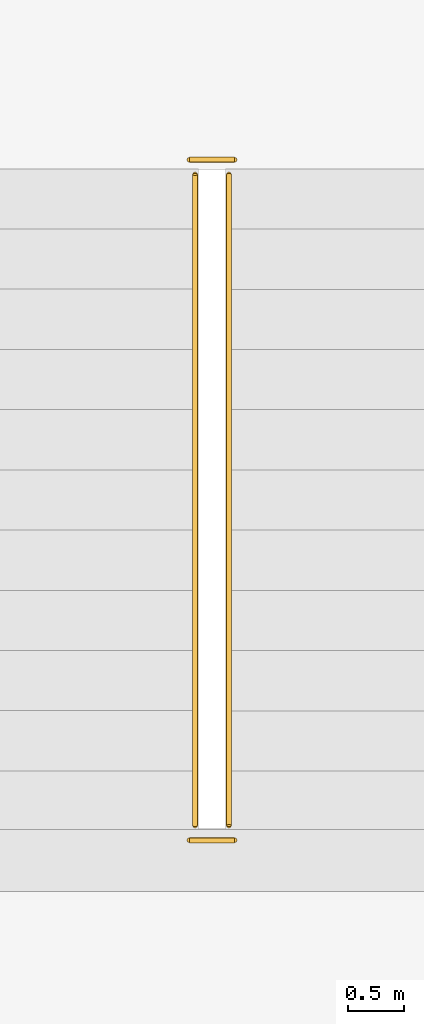
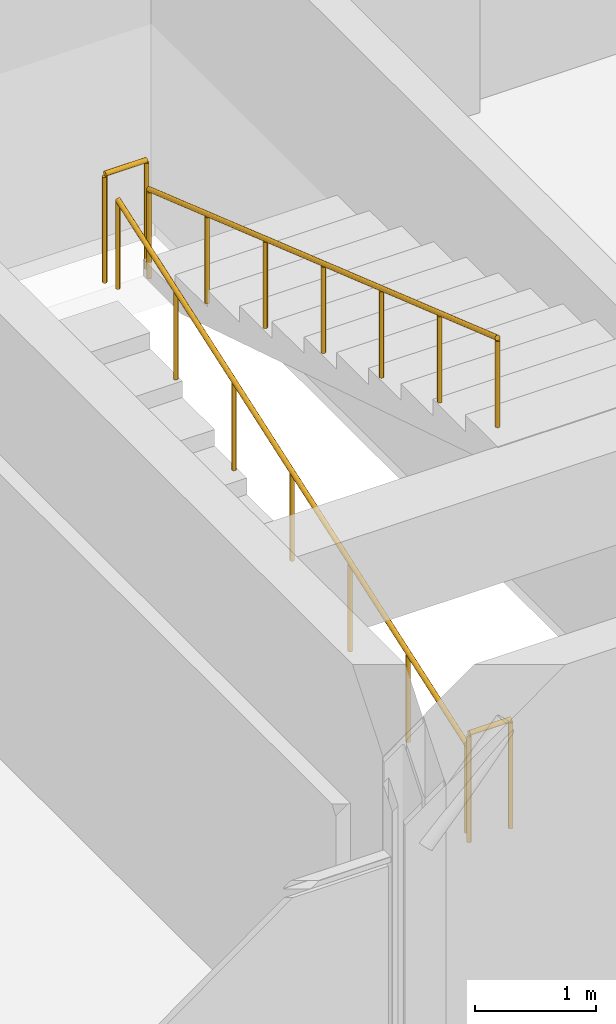
# One storey, part 48 of 51: 4 railings.
"""IFC4 building model written with IfcOpenShell, lengths in metres."""

from ifc_helpers import new_model, si_unit, direction, frame, origin, origin_2d, place, context, subcontext, project, spatial, circle, extrude, material, layer, layer_set, type_object, element, save


model = new_model("IFC4")

# Units and contexts
model_context = context("Model", 3, precision=1e-05, world=origin(), true_north=direction((0.0, 1.0)))
body_context = subcontext(model_context, "Body", "Model", "MODEL_VIEW")
ifc_project = project(units=[si_unit("LENGTHUNIT", "METRE"), si_unit("AREAUNIT", "SQUARE_METRE"), si_unit("VOLUMEUNIT", "CUBIC_METRE"), si_unit("PLANEANGLEUNIT", "RADIAN"), si_unit("MASSUNIT", "GRAM", prefix="KILO")], contexts=[model_context])

# Site, building, storey
site_placement = place(None, origin())
site = spatial("IfcSite", under=ifc_project, at=site_placement, CompositionType="ELEMENT")
building_placement = place(site_placement, origin())
building = spatial("IfcBuilding", under=site, at=building_placement, Name="Girod Span Mobility Hub", CompositionType="ELEMENT")
storey_placement = place(building_placement, frame((0.0, 0.0, 41.60009765625)))
storey = spatial("IfcBuildingStorey", under=building, at=storey_placement, Name="L10", CompositionType="ELEMENT", Elevation=41.60009765625)

# Railings
ifc_material_1 = material(Name="Painted Galvanised Steel", Category="steel")
ifc_layer_1 = layer(ifc_material_1, 0.06494140625)
ifc_layer_set_1 = layer_set([ifc_layer_1], Name="Painted Galvanised Steel")
railing_type_1 = type_object("IfcRailingType", Name="RL-GRD-1120", PredefinedType="GUARDRAIL", material=ifc_layer_set_1)
for number, where, name in (
    (1, (74.10009765625, 35.77001953125, 2.0), "Stair ST-3 Half-Landing Well Guard L10"),
    (2, (74.10009765625, 29.72998046875, 0.0), "Stair ST-3 Landing Well Guard L10"),
):
    element("IfcRailing", number, at=place(storey_placement, frame(where)), inside=storey, type_object=railing_type_1, Name=name, PredefinedType="GUARDRAIL", context=body_context, shape_type="SweptSolid", body=[
        extrude(circle(Radius=0.02392578125, at=origin_2d()), frame((0.0, 0.0, 1.09619140625), z_axis=(1.0, 0.0, 0.0), x_axis=(0.0, 1.0, 0.0)), (0.0, 0.0, 1.0), 0.39990234375),
        extrude(circle(Radius=0.02099609375, at=origin_2d()), origin(), (0.0, 0.0, 1.0), 1.072021484375),
        extrude(circle(Radius=0.02099609375, at=origin_2d()), frame((0.39990234375, 0.0, 0.0)), (0.0, 0.0, 1.0), 1.072021484375),
    ])
ifc_material_2 = material(Name="Painted Galvanised Steel", Category="steel")
ifc_layer_2 = layer(ifc_material_2, 0.050048828125)
ifc_layer_set_2 = layer_set([ifc_layer_2], Name="Painted Galvanised Steel")
railing_type_2 = type_object("IfcRailingType", Name="RL-HR-920", PredefinedType="HANDRAIL", material=ifc_layer_set_2)
railing_1_placement = place(storey_placement, frame((74.14990234375, 29.860107421875, 0.0)))
element("IfcRailing", 3, at=railing_1_placement, inside=storey, type_object=railing_type_2, Name="Stair ST-3 Flight 1 Handrail L10", PredefinedType="HANDRAIL", context=body_context, shape_type="SweptSolid", body=[
    extrude(circle(Radius=0.02392578125, at=origin_2d()), frame((0.0, 0.0, 0.89599609375), z_axis=(0.0, 0.945021187488, 0.327009105681), x_axis=(-1.0, 0.0, 0.0)), (0.0, 0.0, 1.0), 6.115966796875),
    extrude(circle(Radius=0.02099609375, at=origin_2d()), origin(), (0.0, 0.0, 1.0), 0.871826171875),
    extrude(circle(Radius=0.02099609375, at=origin_2d()), frame((0.0, 0.96337890625, 0.333251953125)), (0.0, 0.0, 1.0), 0.871826171875),
    extrude(circle(Radius=0.02099609375, at=origin_2d()), frame((0.0, 1.926513671875, 0.666748046875)), (0.0, 0.0, 1.0), 0.871826171875),
    extrude(circle(Radius=0.02099609375, at=origin_2d()), frame((0.0, 2.889892578125, 1.0)), (0.0, 0.0, 1.0), 0.871826171875),
    extrude(circle(Radius=0.02099609375, at=origin_2d()), frame((0.0, 3.853271484375, 1.333251953125)), (0.0, 0.0, 1.0), 0.871826171875),
    extrude(circle(Radius=0.02099609375, at=origin_2d()), frame((0.0, 4.81640625, 1.666748046875)), (0.0, 0.0, 1.0), 0.871826171875),
    extrude(circle(Radius=0.02099609375, at=origin_2d()), frame((0.0, 5.77978515625, 2.0)), (0.0, 0.0, 1.0), 0.871826171875),
])
railing_2_placement = place(storey_placement, frame((74.449951171875, 35.639892578125, 2.0)))
element("IfcRailing", 4, at=railing_2_placement, inside=storey, type_object=railing_type_2, Name="Stair ST-3 Flight 2 Handrail L10", PredefinedType="HANDRAIL", context=body_context, shape_type="SweptSolid", body=[
    extrude(circle(Radius=0.02392578125, at=origin_2d()), frame((0.0, 0.0, 0.89599609375), z_axis=(0.0, -0.945021187488, 0.327009105681), x_axis=(1.0, 0.0, 0.0)), (0.0, 0.0, 1.0), 6.115966796875),
    extrude(circle(Radius=0.02099609375, at=origin_2d()), origin(), (0.0, 0.0, 1.0), 0.871826171875),
    extrude(circle(Radius=0.02099609375, at=origin_2d()), frame((0.0, -0.96337890625, 0.333251953125)), (0.0, 0.0, 1.0), 0.871826171875),
    extrude(circle(Radius=0.02099609375, at=origin_2d()), frame((0.0, -1.926513671875, 0.666748046875)), (0.0, 0.0, 1.0), 0.871826171875),
    extrude(circle(Radius=0.02099609375, at=origin_2d()), frame((0.0, -2.889892578125, 1.0)), (0.0, 0.0, 1.0), 0.871826171875),
    extrude(circle(Radius=0.02099609375, at=origin_2d()), frame((0.0, -3.853271484375, 1.333251953125)), (0.0, 0.0, 1.0), 0.871826171875),
    extrude(circle(Radius=0.02099609375, at=origin_2d()), frame((0.0, -4.81640625, 1.666748046875)), (0.0, 0.0, 1.0), 0.871826171875),
    extrude(circle(Radius=0.02099609375, at=origin_2d()), frame((0.0, -5.77978515625, 2.0)), (0.0, 0.0, 1.0), 0.871826171875),
])

save(model, "model.ifc")
